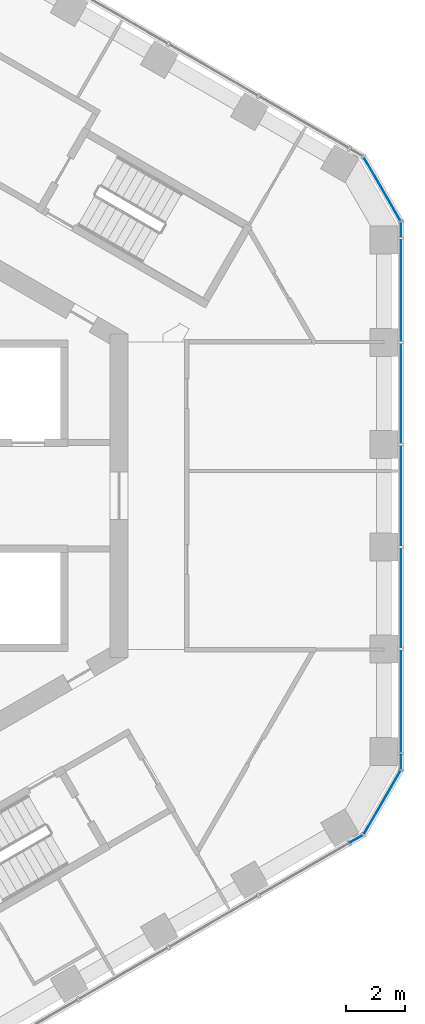
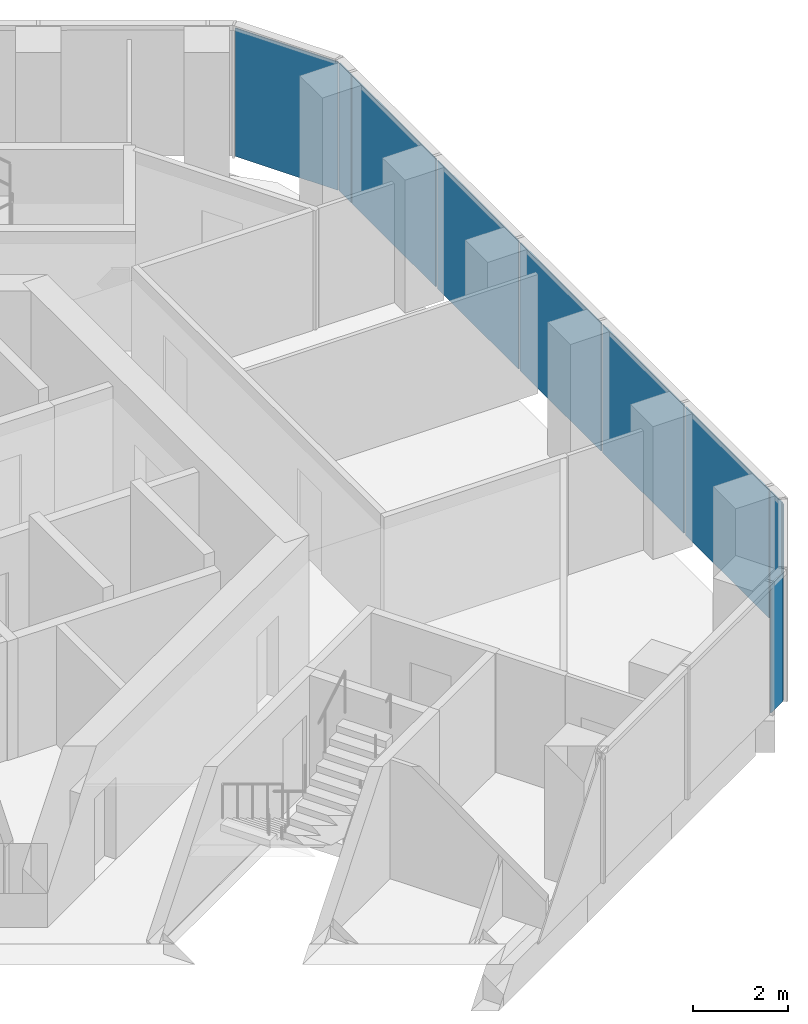
# One storey, part 12 of 19: 10 plates, 3 elements without a shape of their own.
"""IFC4 building model written with IfcOpenShell, lengths in metres."""

import ifcopenshell
import ifcopenshell.guid

model = None  # the IFC model being written
_history = None  # IfcOwnerHistory: only IFC2X3 demands one
_inside = {}  # id of a spatial element -> (the spatial element, [elements in it])
_under = {}  # id of a project, library or spatial element -> (it, [spatial elements below it])
_declared = {}  # id of a project -> (the project, [libraries it declares])
_typed = {}  # id of a type object -> (the type object, [elements of that type])
_made_of = {}  # id of a material, layer set ... -> (it, [elements and type objects made of it])


def new_model(schema):
    """Start an empty IFC model of exactly this schema.

    Asked for "IFC4X3", IfcOpenShell would pick the latest addendum, in which some entities
    have other attributes; the version numbers below select the first issue.
    IFC2X3 requires an IfcOwnerHistory on every rooted entity: one is made here for all.
    """
    global model, _history
    if schema == "IFC4X3":
        model = ifcopenshell.file(schema_version=(4, 3, 0, 0))
    else:
        model = ifcopenshell.file(schema=schema)
    _inside.clear()
    _under.clear()
    _declared.clear()
    _typed.clear()
    _made_of.clear()
    _history = None
    if model.schema == "IFC2X3":
        org = make("IfcOrganization", Name="unknown")
        user = make(
            "IfcPersonAndOrganization",
            ThePerson=make("IfcPerson", FamilyName="unknown"),
            TheOrganization=org,
        )
        app = make(
            "IfcApplication",
            ApplicationDeveloper=org,
            Version="unknown",
            ApplicationFullName="unknown",
            ApplicationIdentifier="unknown",
        )
        _history = make(
            "IfcOwnerHistory",
            OwningUser=user,
            OwningApplication=app,
            ChangeAction="ADDED",
            CreationDate=0,
        )
    return model


def make(cls, **values):
    """One entity of the class cls with the attributes given. An attribute that is None is left unset."""
    return model.create_entity(
        cls, **{name: value for name, value in values.items() if value is not None}
    )


def rooted(cls, **values):
    """An entity with a GlobalId (a new one), such as an element, a storey or a relation."""
    return make(cls, GlobalId=ifcopenshell.guid.new(), OwnerHistory=_history, **values)


def si_unit(unit_type, name, prefix=None):
    """IfcSIUnit, for example si_unit("LENGTHUNIT", "METRE", prefix="MILLI")."""
    return make("IfcSIUnit", UnitType=unit_type, Prefix=prefix, Name=name)


def assignment(units):
    """IfcUnitAssignment: the units of a project."""
    return None if units is None else make("IfcUnitAssignment", Units=units)


def point(xyz):
    """IfcCartesianPoint."""
    return None if xyz is None else make("IfcCartesianPoint", Coordinates=xyz)


def direction(xyz):
    """IfcDirection."""
    return None if xyz is None else make("IfcDirection", DirectionRatios=xyz)


def frame(location, z_axis=None, x_axis=None):
    """IfcAxis2Placement3D, a coordinate frame: its origin and axes. An axis left out is left unset."""
    return make(
        "IfcAxis2Placement3D",
        Location=point(location),
        Axis=direction(z_axis),
        RefDirection=direction(x_axis),
    )


def frame_2d(location, x_axis=None):
    """IfcAxis2Placement2D, a coordinate frame in the plane: its origin and x axis."""
    return make(
        "IfcAxis2Placement2D", Location=point(location), RefDirection=direction(x_axis)
    )


def origin():
    """The frame at (0, 0, 0) with its axes left unset."""
    return frame((0.0, 0.0, 0.0))


def origin_2d():
    """The frame at (0, 0) in the plane with its x axis left unset."""
    return frame_2d((0.0, 0.0))


def place(relative_to, where):
    """IfcLocalPlacement: puts the frame where relative to a parent placement (None: the world)."""
    return make(
        "IfcLocalPlacement", PlacementRelTo=relative_to, RelativePlacement=where
    )


def context(
    kind, dimensions, precision=None, world=None, true_north=None, identifier=None
):
    """IfcGeometricRepresentationContext, for example the 3D "Model" context."""
    return make(
        "IfcGeometricRepresentationContext",
        ContextIdentifier=identifier,
        ContextType=kind,
        CoordinateSpaceDimension=dimensions,
        Precision=precision,
        WorldCoordinateSystem=world,
        TrueNorth=true_north,
    )


def subcontext(parent, identifier, kind, view, scale=None):
    """IfcGeometricRepresentationSubContext, for example "Body" below "Model"."""
    return make(
        "IfcGeometricRepresentationSubContext",
        ContextIdentifier=identifier,
        ContextType=kind,
        ParentContext=parent,
        TargetScale=scale,
        TargetView=view,
    )


def project(units=None, contexts=None):
    """IfcProject with its units and contexts."""
    return rooted(
        "IfcProject",
        Name="project",
        RepresentationContexts=contexts,
        UnitsInContext=assignment(units),
    )


def spatial(cls, under=None, at=None, **own):
    """A site, building, storey or space (cls), placed at a placement, below another one or the project."""
    s = rooted(cls, ObjectPlacement=at, **own)
    if under is not None:
        _under.setdefault(under.id(), (under, []))[1].append(s)
    return s


def profile(cls, at=None, kind="AREA", **sizes):
    """A parametric profile (cls). Its sizes go by their IFC names, for example OverallWidth=200.0."""
    return make(cls, ProfileType=kind, Position=at, **sizes)


def rectangle(**sizes):
    """IfcRectangleProfileDef."""
    return profile("IfcRectangleProfileDef", **sizes)


def extrude(swept, where, along, depth):
    """IfcExtrudedAreaSolid: the profile swept, set in the frame where, extruded along a direction by depth."""
    return make(
        "IfcExtrudedAreaSolid",
        SweptArea=swept,
        Position=where,
        ExtrudedDirection=direction(along),
        Depth=depth,
    )


def shape(context_of_items, identifier, shape_type, items):
    """IfcShapeRepresentation: the items that make up one representation, for example the "Body"."""
    return make(
        "IfcShapeRepresentation",
        ContextOfItems=context_of_items,
        RepresentationIdentifier=identifier,
        RepresentationType=shape_type,
        Items=items,
    )


def material(Name=None, Category=None):
    """IfcMaterial."""
    return make("IfcMaterial", Name=Name, Category=Category)


def layer(
    of_material, thickness, ventilated=None, Name=None, Category=None, Priority=None
):
    """IfcMaterialLayer: one layer of a wall or slab, of a material (None: an air gap)."""
    return make(
        "IfcMaterialLayer",
        Material=of_material,
        LayerThickness=thickness,
        IsVentilated=ventilated,
        Name=Name,
        Category=Category,
        Priority=Priority,
    )


def layer_set(layers, Name=None):
    """IfcMaterialLayerSet."""
    return make("IfcMaterialLayerSet", MaterialLayers=layers, LayerSetName=Name)


def made_of(thing, what):
    """Note that an element or type object is made of a material, layer set ...; save() writes the relation."""
    if what is not None:
        _made_of.setdefault(what.id(), (what, []))[1].append(thing)
    return thing


def type_object(cls, material=None, **own):
    """A type object (cls), such as IfcWallType, which elements share."""
    return made_of(rooted(cls, **own), material)


def element(
    cls,
    number,
    at=None,
    inside=None,
    cuts=None,
    type_object=None,
    material=None,
    context=None,
    identifier="Body",
    shape_type=None,
    held_by="IfcProductDefinitionShape",
    body=None,
    shapes=None,
    **own,
):
    """One element of the class cls, such as IfcWall. Its Tag is "e" and its number.

    at: its placement. inside: the storey or other place that contains it. cuts: it is an
    opening in that element (IfcRelVoidsElement). A single representation is given by context,
    identifier, shape_type and body (its items); several are given by shapes. held_by: the class
    of the entity that holds the representations. save() writes the other relations.
    """
    e = rooted(cls, Tag="e%d" % number, ObjectPlacement=at, **own)
    if body is not None:
        shapes = [shape(context, identifier, shape_type, body)]
    if shapes is not None:
        e.Representation = make(held_by, Representations=shapes)
    if inside is not None:
        _inside.setdefault(inside.id(), (inside, []))[1].append(e)
    if cuts is not None:
        rooted(
            "IfcRelVoidsElement", RelatingBuildingElement=cuts, RelatedOpeningElement=e
        )
    if type_object is not None:
        _typed.setdefault(type_object.id(), (type_object, []))[1].append(e)
    return made_of(e, material)


def aggregate(whole, parts):
    """IfcRelAggregates: a whole, such as a stair, and the parts it consists of."""
    return rooted("IfcRelAggregates", RelatingObject=whole, RelatedObjects=parts)


def save(model, path):
    """Write the relations noted so far, then the file.

    IfcRelAggregates (storeys below a building ...), IfcRelContainedInSpatialStructure (elements
    in a storey), IfcRelDefinesByType, IfcRelAssociatesMaterial and IfcRelDeclares: one each for
    every whole, place, type object, material and project.
    """
    for whole, parts in _under.values():
        aggregate(whole, parts)
    for where, things in _inside.values():
        rooted(
            "IfcRelContainedInSpatialStructure",
            RelatedElements=things,
            RelatingStructure=where,
        )
    for kind, things in _typed.values():
        rooted("IfcRelDefinesByType", RelatedObjects=things, RelatingType=kind)
    for what, things in _made_of.values():
        rooted("IfcRelAssociatesMaterial", RelatedObjects=things, RelatingMaterial=what)
    for by, libraries in _declared.values():
        rooted("IfcRelDeclares", RelatingContext=by, RelatedDefinitions=libraries)
    model.write(path)


model = new_model("IFC4")

# Units and contexts
model_context = context("Model", 3, precision=1e-05, world=origin(), true_north=direction((0.0, 1.0)))
body_context = subcontext(model_context, "Body", "Model", "MODEL_VIEW")
ifc_project = project(units=[si_unit("LENGTHUNIT", "METRE"), si_unit("AREAUNIT", "SQUARE_METRE"), si_unit("VOLUMEUNIT", "CUBIC_METRE"), si_unit("PLANEANGLEUNIT", "RADIAN"), si_unit("MASSUNIT", "GRAM", prefix="KILO")], contexts=[model_context])

# Site, building, storey
site_placement = place(None, origin())
site = spatial("IfcSite", under=ifc_project, at=site_placement, CompositionType="ELEMENT")
building_placement = place(site_placement, origin())
building = spatial("IfcBuilding", under=site, at=building_placement, Name="Ayvan Gate Tower", CompositionType="ELEMENT")
storey_placement = place(building_placement, frame((0.0, 0.0, 156.10009765625)))
storey = spatial("IfcBuildingStorey", under=building, at=storey_placement, Name="L41", CompositionType="ELEMENT", Elevation=156.10009765625)

# Curtain wall, plates
ifc_material_1 = material(Name="Bronze anodised aluminium", Category="aluminium")
ifc_layer_1 = layer(ifc_material_1, 0.199951171875)
ifc_layer_set_1 = layer_set([ifc_layer_1], Name="Bronze anodised aluminium")
curtain_wall_type_1 = type_object("IfcCurtainWallType", Name="Stick curtain wall CW-2", PredefinedType="NOTDEFINED", material=ifc_layer_set_1)
curtain_wall_1_placement = place(storey_placement, origin())
curtain_wall_1 = element("IfcCurtainWall", 1, at=curtain_wall_1_placement, inside=storey, type_object=curtain_wall_type_1, Name="Stick curtain wall CW-2 L41", PredefinedType="NOTDEFINED")
ifc_material_2 = material(Name="Clear low-iron laminated glass", Category="glass")
ifc_layer_2 = layer(ifc_material_2, 0.028076171875)
ifc_layer_set_2 = layer_set([ifc_layer_2], Name="Clear low-iron laminated glass")
plate_type_1 = type_object("IfcPlateType", Name="Stick curtain wall CW-2 glass panel", PredefinedType="CURTAIN_PANEL", material=ifc_layer_set_2)
plate_1_placement = place(storey_placement, frame((18.761474609375, -6.987060546875, 0.0), z_axis=(0.0, 0.0, 1.0), x_axis=(0.0, 1.0, 0.0)))
plate_1 = element("IfcPlate", 2, at=plate_1_placement, type_object=plate_type_1, Name="CW-2 glass panel 1", PredefinedType="CURTAIN_PANEL", context=body_context, shape_type="SweptSolid", body=[
    extrude(rectangle(XDim=3.506103515625, YDim=0.028076171875, at=origin_2d()), origin(), (0.0, 0.0, 1.0), 3.280029296875),
])
plate_2_placement = place(storey_placement, frame((18.761474609375, -3.466064453125, 0.0), z_axis=(0.0, 0.0, 1.0), x_axis=(0.0, 1.0, 0.0)))
plate_2 = element("IfcPlate", 3, at=plate_2_placement, type_object=plate_type_1, Name="CW-2 glass panel 2", PredefinedType="CURTAIN_PANEL", context=body_context, shape_type="SweptSolid", body=[
    extrude(rectangle(XDim=3.39599609375, YDim=0.028076171875, at=origin_2d()), origin(), (0.0, 0.0, 1.0), 3.280029296875),
])
plate_3_placement = place(storey_placement, frame((18.761474609375, 0.0, 0.0), z_axis=(0.0, 0.0, 1.0), x_axis=(0.0, 1.0, 0.0)))
plate_3 = element("IfcPlate", 4, at=plate_3_placement, type_object=plate_type_1, Name="CW-2 glass panel 3", PredefinedType="CURTAIN_PANEL", context=body_context, shape_type="SweptSolid", body=[
    extrude(rectangle(XDim=3.39599609375, YDim=0.028076171875, at=origin_2d()), origin(), (0.0, 0.0, 1.0), 3.280029296875),
])
plate_4_placement = place(storey_placement, frame((18.761474609375, 3.4658203125, 0.0), z_axis=(0.0, 0.0, 1.0), x_axis=(0.0, 1.0, 0.0)))
plate_4 = element("IfcPlate", 5, at=plate_4_placement, type_object=plate_type_1, Name="CW-2 glass panel 4", PredefinedType="CURTAIN_PANEL", context=body_context, shape_type="SweptSolid", body=[
    extrude(rectangle(XDim=3.39599609375, YDim=0.028076171875, at=origin_2d()), origin(), (0.0, 0.0, 1.0), 3.280029296875),
])
plate_5_placement = place(storey_placement, frame((18.761474609375, 6.987060546875, 0.0), z_axis=(0.0, 0.0, 1.0), x_axis=(0.0, 1.0, 0.0)))
plate_5 = element("IfcPlate", 6, at=plate_5_placement, type_object=plate_type_1, Name="CW-2 glass panel 5", PredefinedType="CURTAIN_PANEL", context=body_context, shape_type="SweptSolid", body=[
    extrude(rectangle(XDim=3.50634765625, YDim=0.028076171875, at=origin_2d()), origin(), (0.0, 0.0, 1.0), 3.280029296875),
])
aggregate(curtain_wall_1, [plate_1, plate_2, plate_3, plate_4, plate_5])

ifc_layer_3 = layer(ifc_material_1, 0.199951171875)
ifc_layer_set_3 = layer_set([ifc_layer_3], Name="Bronze anodised aluminium")
curtain_wall_type_2 = type_object("IfcCurtainWallType", Name="Stick curtain wall CW-6", PredefinedType="NOTDEFINED", material=ifc_layer_set_3)
curtain_wall_2_placement = place(storey_placement, origin())
curtain_wall_2 = element("IfcCurtainWall", 7, at=curtain_wall_2_placement, inside=storey, type_object=curtain_wall_type_2, Name="Stick curtain wall CW-6 L41", PredefinedType="NOTDEFINED")
ifc_layer_4 = layer(ifc_material_2, 0.028076171875)
ifc_layer_set_4 = layer_set([ifc_layer_4], Name="Clear low-iron laminated glass")
plate_type_2 = type_object("IfcPlateType", Name="Stick curtain wall CW-6 glass panel", PredefinedType="CURTAIN_PANEL", material=ifc_layer_set_4)
plate_6_placement = place(storey_placement, frame((17.256103515625, -11.632568359375, 0.0), z_axis=(0.0, 0.0, 1.0), x_axis=(0.866025403784, 0.5, 0.0)))
plate_6 = element("IfcPlate", 8, at=plate_6_placement, type_object=plate_type_2, Name="CW-6 glass panel 1", PredefinedType="CURTAIN_PANEL", context=body_context, shape_type="SweptSolid", body=[
    extrude(rectangle(XDim=0.5, YDim=0.028076171875, at=origin_2d()), origin(), (0.0, 0.0, 1.0), 3.280029296875),
])
plate_7_placement = place(storey_placement, frame((18.1279296875, -10.397705078125, 0.0), z_axis=(0.0, 0.0, 1.0), x_axis=(0.5, 0.866025403784, 0.0)))
plate_7 = element("IfcPlate", 9, at=plate_7_placement, type_object=plate_type_2, Name="CW-6 glass panel 2", PredefinedType="CURTAIN_PANEL", context=body_context, shape_type="SweptSolid", body=[
    extrude(rectangle(XDim=2.484619140625, YDim=0.028076171875, at=origin_2d()), origin(), (0.0, 0.0, 1.0), 3.280029296875),
])
plate_8_placement = place(storey_placement, frame((18.761474609375, -9.025146484375, 0.0), z_axis=(0.0, 0.0, 1.0), x_axis=(0.0, 1.0, 0.0)))
plate_8 = element("IfcPlate", 10, at=plate_8_placement, type_object=plate_type_2, Name="CW-6 glass panel 3", PredefinedType="CURTAIN_PANEL", context=body_context, shape_type="SweptSolid", body=[
    extrude(rectangle(XDim=0.5, YDim=0.028076171875, at=origin_2d()), origin(), (0.0, 0.0, 1.0), 3.280029296875),
])
aggregate(curtain_wall_2, [plate_6, plate_7, plate_8])

curtain_wall_3_placement = place(storey_placement, origin())
curtain_wall_3 = element("IfcCurtainWall", 11, at=curtain_wall_3_placement, inside=storey, type_object=curtain_wall_type_2, Name="Stick curtain wall CW-6 L41", PredefinedType="NOTDEFINED")
plate_9_placement = place(storey_placement, frame((18.761474609375, 9.025146484375, 0.0), z_axis=(0.0, 0.0, 1.0), x_axis=(0.0, 1.0, 0.0)))
plate_9 = element("IfcPlate", 12, at=plate_9_placement, type_object=plate_type_2, Name="CW-6 glass panel 1", PredefinedType="CURTAIN_PANEL", context=body_context, shape_type="SweptSolid", body=[
    extrude(rectangle(XDim=0.5, YDim=0.028076171875, at=origin_2d()), origin(), (0.0, 0.0, 1.0), 3.280029296875),
])
plate_10_placement = place(storey_placement, frame((18.1279296875, 10.397705078125, 0.0), z_axis=(0.0, 0.0, 1.0), x_axis=(-0.5, 0.866025403784, 0.0)))
plate_10 = element("IfcPlate", 13, at=plate_10_placement, type_object=plate_type_2, Name="CW-6 glass panel 2", PredefinedType="CURTAIN_PANEL", context=body_context, shape_type="SweptSolid", body=[
    extrude(rectangle(XDim=2.484619140625, YDim=0.028076171875, at=origin_2d()), origin(), (0.0, 0.0, 1.0), 3.280029296875),
])
aggregate(curtain_wall_3, [plate_9, plate_10])

save(model, "model.ifc")
